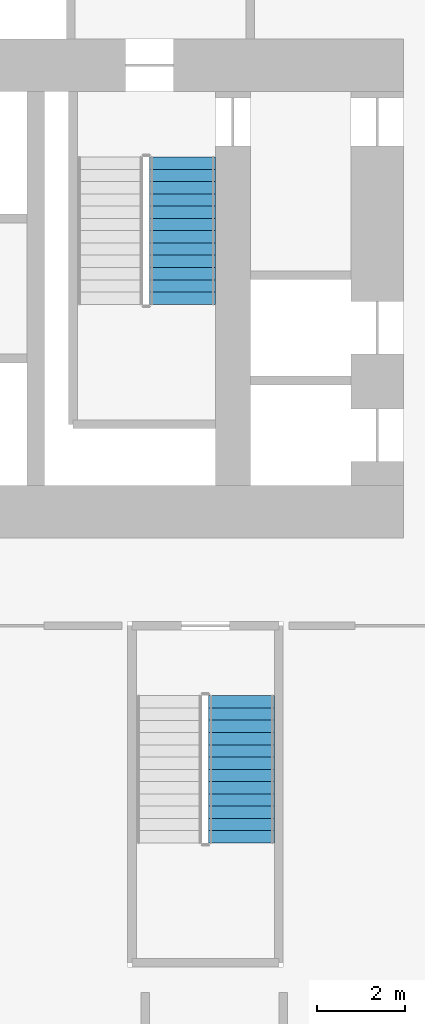
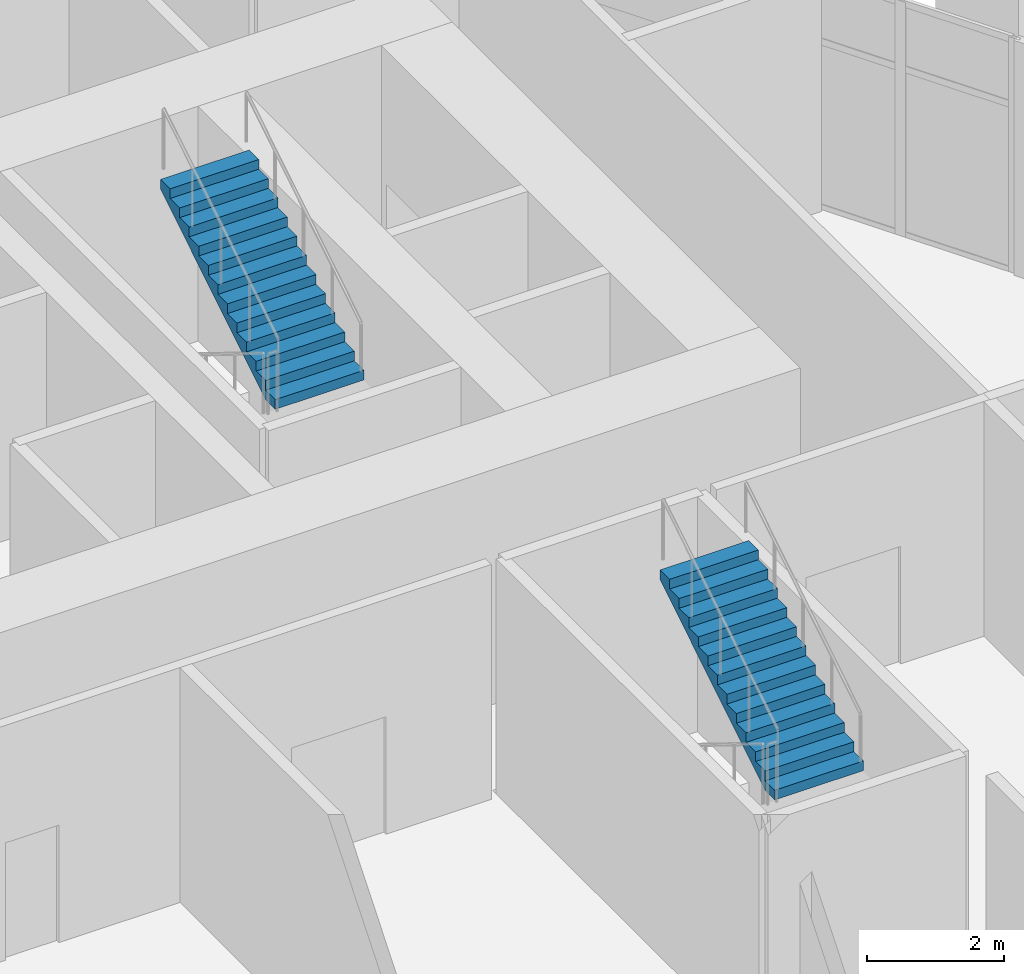
# One storey, part 17 of 18: 2 stair flights, 2 elements without a shape of their own.
"""IFC4 building model written with IfcOpenShell, lengths in metres."""

from ifc_helpers import new_model, si_unit, direction, frame, origin, place, context, subcontext, project, spatial, polyline, outline, extrude, material, type_object, element, aggregate, save


model = new_model("IFC4")

# Units and contexts
model_context = context("Model", 3, precision=1e-05, world=origin(), true_north=direction((0.0, 1.0)))
body_context = subcontext(model_context, "Body", "Model", "MODEL_VIEW")
ifc_project = project(units=[si_unit("LENGTHUNIT", "METRE"), si_unit("AREAUNIT", "SQUARE_METRE"), si_unit("VOLUMEUNIT", "CUBIC_METRE"), si_unit("PLANEANGLEUNIT", "RADIAN"), si_unit("MASSUNIT", "GRAM", prefix="KILO")], contexts=[model_context])

# Site, building, storey
site_placement = place(None, origin())
site = spatial("IfcSite", under=ifc_project, at=site_placement, CompositionType="ELEMENT")
building_placement = place(site_placement, origin())
building = spatial("IfcBuilding", under=site, at=building_placement, Name="Ostrander Bayou Hotel Tower", CompositionType="ELEMENT")
storey_placement = place(building_placement, frame((0.0, 0.0, 19.0)))
storey = spatial("IfcBuildingStorey", under=building, at=storey_placement, Name="L04", CompositionType="ELEMENT", Elevation=19.0)

# Stair, stair flight
ifc_material_1 = material(Name="Concrete f'c 45 MPa", Category="concrete")
stair_type = type_object("IfcStairType", Name="ST1 exit stair 1500 mm f'c 45 MPa", PredefinedType="HALF_TURN_STAIR", material=ifc_material_1)
stair_1_placement = place(storey_placement, origin())
stair_1 = element("IfcStair", 1, at=stair_1_placement, inside=storey, type_object=stair_type, Name="L04 exit stair B", PredefinedType="HALF_TURN_STAIR")
ifc_material_2 = material(Name="Concrete f'c 45 MPa", Category="concrete")
stair_flight_type = type_object("IfcStairFlightType", Name="SF1 stair flight 1500 mm f'c 45 MPa", PredefinedType="STRAIGHT", material=ifc_material_2)
stair_flight_1_placement = place(storey_placement, frame((6.949951171875, 3.639892578125, 2.25), z_axis=(0.0, 0.0, 1.0), x_axis=(0.0, 1.0, 0.0)))
stair_flight_1 = element("IfcStairFlight", 2, at=stair_flight_1_placement, type_object=stair_flight_type, Name="STB flight 2", NumberOfRisers=13, NumberOfTreads=12, PredefinedType="STRAIGHT", RiserHeight=0.173076923, TreadLength=0.28, context=body_context, shape_type="SweptSolid", body=[
    extrude(outline(polyline([(0.0, 0.0), (0.0, 0.173095703125), (0.280029296875, 0.173095703125), (0.280029296875, 0.34619140625), (0.56005859375, 0.34619140625), (0.56005859375, 0.519287109375), (0.840087890625, 0.519287109375), (0.840087890625, 0.6923828125), (1.1201171875, 0.6923828125), (1.1201171875, 0.865478515625), (1.39990234375, 0.865478515625), (1.39990234375, 1.03857421875), (1.679931640625, 1.03857421875), (1.679931640625, 1.21142578125), (1.9599609375, 1.21142578125), (1.9599609375, 1.384521484375), (2.239990234375, 1.384521484375), (2.239990234375, 1.5576171875), (2.52001953125, 1.5576171875), (2.52001953125, 1.730712890625), (2.800048828125, 1.730712890625), (2.800048828125, 1.90380859375), (3.080078125, 1.90380859375), (3.080078125, 2.076904296875), (3.360107421875, 2.076904296875), (3.360107421875, 2.25), (3.360107421875, 1.900634765625), (0.28515625, 0.0), (0.0, 0.0)])), frame((0.0, 0.75, 0.0), z_axis=(0.0, -1.0, 0.0), x_axis=(1.0, 0.0, 0.0)), (0.0, 0.0, 1.0), 1.5),
])
aggregate(stair_1, [stair_flight_1])

stair_2_placement = place(storey_placement, origin())
stair_2 = element("IfcStair", 3, at=stair_2_placement, inside=storey, type_object=stair_type, Name="L04 exit stair C", PredefinedType="HALF_TURN_STAIR")
stair_flight_2_placement = place(storey_placement, frame((8.300048828125, -8.659912109375, 2.25), z_axis=(0.0, 0.0, 1.0), x_axis=(0.0, 1.0, 0.0)))
stair_flight_2 = element("IfcStairFlight", 4, at=stair_flight_2_placement, type_object=stair_flight_type, Name="STC flight 2", NumberOfRisers=13, NumberOfTreads=12, PredefinedType="STRAIGHT", RiserHeight=0.173076923, TreadLength=0.28, context=body_context, shape_type="SweptSolid", body=[
    extrude(outline(polyline([(0.0, 0.0), (0.0, 0.173095703125), (0.280029296875, 0.173095703125), (0.280029296875, 0.34619140625), (0.56005859375, 0.34619140625), (0.56005859375, 0.519287109375), (0.840087890625, 0.519287109375), (0.840087890625, 0.6923828125), (1.1201171875, 0.6923828125), (1.1201171875, 0.865478515625), (1.39990234375, 0.865478515625), (1.39990234375, 1.03857421875), (1.679931640625, 1.03857421875), (1.679931640625, 1.21142578125), (1.9599609375, 1.21142578125), (1.9599609375, 1.384521484375), (2.239990234375, 1.384521484375), (2.239990234375, 1.5576171875), (2.52001953125, 1.5576171875), (2.52001953125, 1.730712890625), (2.800048828125, 1.730712890625), (2.800048828125, 1.90380859375), (3.080078125, 1.90380859375), (3.080078125, 2.076904296875), (3.360107421875, 2.076904296875), (3.360107421875, 2.25), (3.360107421875, 1.900634765625), (0.28515625, 0.0), (0.0, 0.0)])), frame((0.0, 0.75, 0.0), z_axis=(0.0, -1.0, 0.0), x_axis=(1.0, 0.0, 0.0)), (0.0, 0.0, 1.0), 1.5),
])
aggregate(stair_2, [stair_flight_2])

save(model, "model.ifc")
